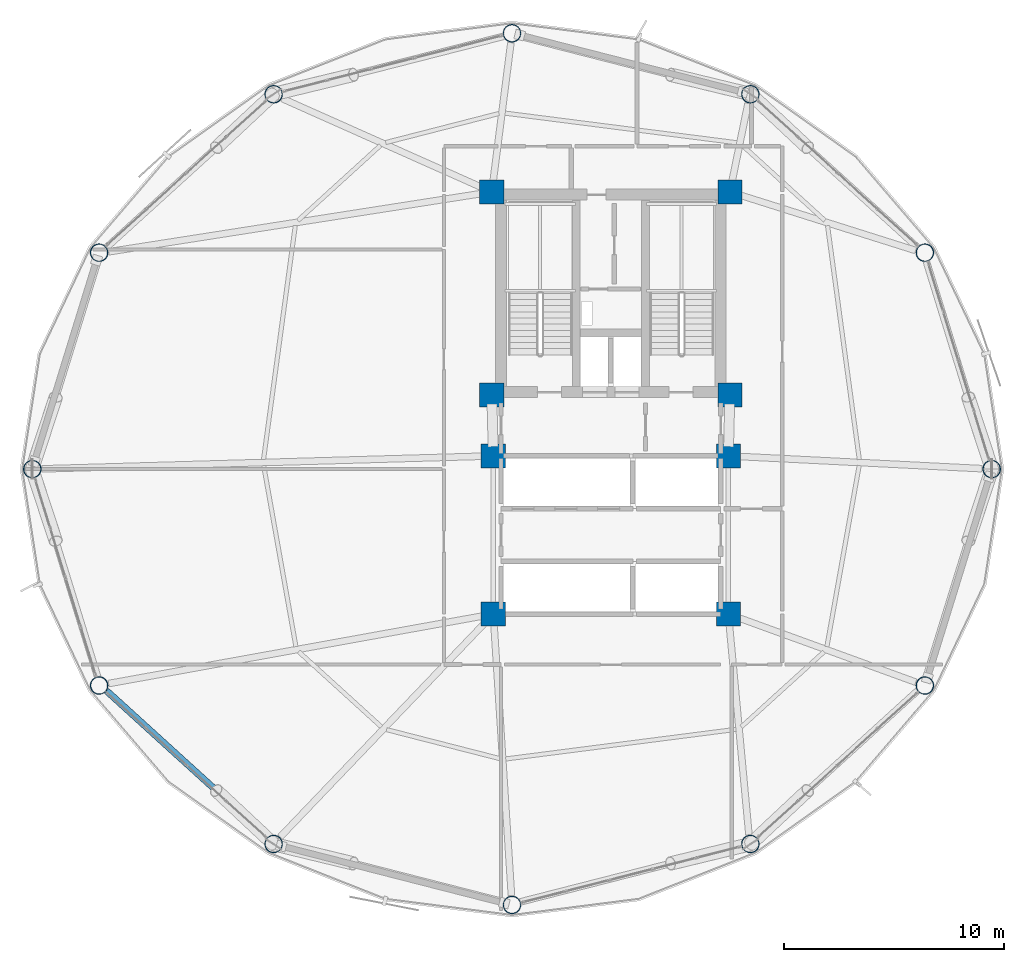
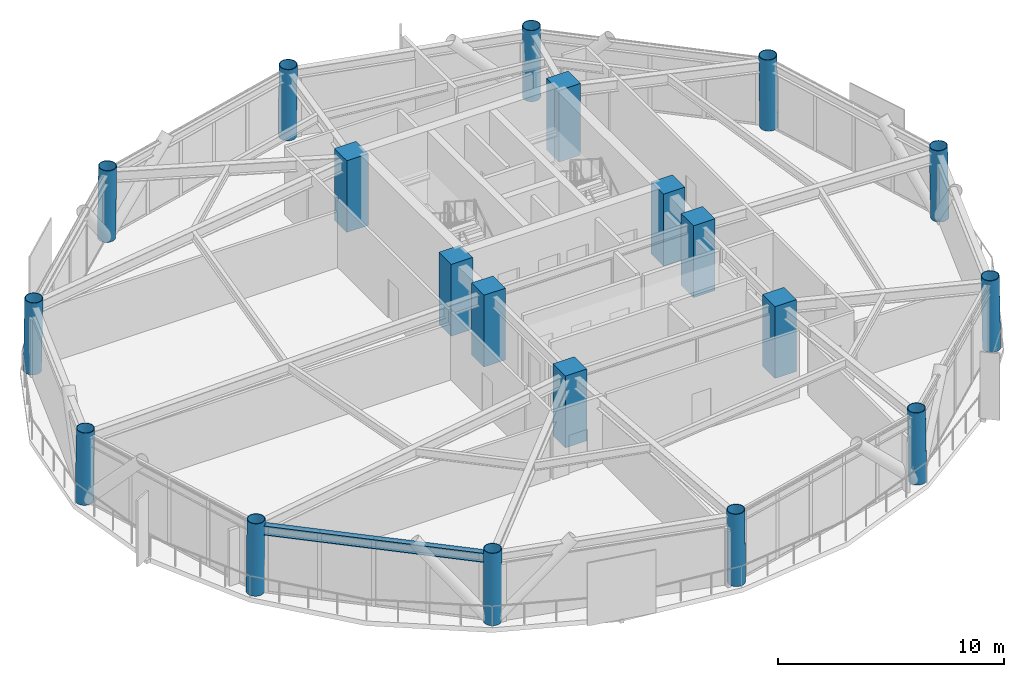
# One storey, part 1 of 26: 20 columns, 1 beam.
"""IFC4 building model written with IfcOpenShell, lengths in metres."""

import ifcopenshell
import ifcopenshell.guid

model = None  # the IFC model being written
_history = None  # IfcOwnerHistory: only IFC2X3 demands one
_inside = {}  # id of a spatial element -> (the spatial element, [elements in it])
_under = {}  # id of a project, library or spatial element -> (it, [spatial elements below it])
_declared = {}  # id of a project -> (the project, [libraries it declares])
_typed = {}  # id of a type object -> (the type object, [elements of that type])
_made_of = {}  # id of a material, layer set ... -> (it, [elements and type objects made of it])


def new_model(schema):
    """Start an empty IFC model of exactly this schema.

    Asked for "IFC4X3", IfcOpenShell would pick the latest addendum, in which some entities
    have other attributes; the version numbers below select the first issue.
    IFC2X3 requires an IfcOwnerHistory on every rooted entity: one is made here for all.
    """
    global model, _history
    if schema == "IFC4X3":
        model = ifcopenshell.file(schema_version=(4, 3, 0, 0))
    else:
        model = ifcopenshell.file(schema=schema)
    _inside.clear()
    _under.clear()
    _declared.clear()
    _typed.clear()
    _made_of.clear()
    _history = None
    if model.schema == "IFC2X3":
        org = make("IfcOrganization", Name="unknown")
        user = make(
            "IfcPersonAndOrganization",
            ThePerson=make("IfcPerson", FamilyName="unknown"),
            TheOrganization=org,
        )
        app = make(
            "IfcApplication",
            ApplicationDeveloper=org,
            Version="unknown",
            ApplicationFullName="unknown",
            ApplicationIdentifier="unknown",
        )
        _history = make(
            "IfcOwnerHistory",
            OwningUser=user,
            OwningApplication=app,
            ChangeAction="ADDED",
            CreationDate=0,
        )
    return model


def make(cls, **values):
    """One entity of the class cls with the attributes given. An attribute that is None is left unset."""
    return model.create_entity(
        cls, **{name: value for name, value in values.items() if value is not None}
    )


def rooted(cls, **values):
    """An entity with a GlobalId (a new one), such as an element, a storey or a relation."""
    return make(cls, GlobalId=ifcopenshell.guid.new(), OwnerHistory=_history, **values)


def si_unit(unit_type, name, prefix=None):
    """IfcSIUnit, for example si_unit("LENGTHUNIT", "METRE", prefix="MILLI")."""
    return make("IfcSIUnit", UnitType=unit_type, Prefix=prefix, Name=name)


def assignment(units):
    """IfcUnitAssignment: the units of a project."""
    return None if units is None else make("IfcUnitAssignment", Units=units)


def point(xyz):
    """IfcCartesianPoint."""
    return None if xyz is None else make("IfcCartesianPoint", Coordinates=xyz)


def direction(xyz):
    """IfcDirection."""
    return None if xyz is None else make("IfcDirection", DirectionRatios=xyz)


def frame(location, z_axis=None, x_axis=None):
    """IfcAxis2Placement3D, a coordinate frame: its origin and axes. An axis left out is left unset."""
    return make(
        "IfcAxis2Placement3D",
        Location=point(location),
        Axis=direction(z_axis),
        RefDirection=direction(x_axis),
    )


def frame_2d(location, x_axis=None):
    """IfcAxis2Placement2D, a coordinate frame in the plane: its origin and x axis."""
    return make(
        "IfcAxis2Placement2D", Location=point(location), RefDirection=direction(x_axis)
    )


def origin():
    """The frame at (0, 0, 0) with its axes left unset."""
    return frame((0.0, 0.0, 0.0))


def origin_2d():
    """The frame at (0, 0) in the plane with its x axis left unset."""
    return frame_2d((0.0, 0.0))


def place(relative_to, where):
    """IfcLocalPlacement: puts the frame where relative to a parent placement (None: the world)."""
    return make(
        "IfcLocalPlacement", PlacementRelTo=relative_to, RelativePlacement=where
    )


def context(
    kind, dimensions, precision=None, world=None, true_north=None, identifier=None
):
    """IfcGeometricRepresentationContext, for example the 3D "Model" context."""
    return make(
        "IfcGeometricRepresentationContext",
        ContextIdentifier=identifier,
        ContextType=kind,
        CoordinateSpaceDimension=dimensions,
        Precision=precision,
        WorldCoordinateSystem=world,
        TrueNorth=true_north,
    )


def subcontext(parent, identifier, kind, view, scale=None):
    """IfcGeometricRepresentationSubContext, for example "Body" below "Model"."""
    return make(
        "IfcGeometricRepresentationSubContext",
        ContextIdentifier=identifier,
        ContextType=kind,
        ParentContext=parent,
        TargetScale=scale,
        TargetView=view,
    )


def project(units=None, contexts=None):
    """IfcProject with its units and contexts."""
    return rooted(
        "IfcProject",
        Name="project",
        RepresentationContexts=contexts,
        UnitsInContext=assignment(units),
    )


def spatial(cls, under=None, at=None, **own):
    """A site, building, storey or space (cls), placed at a placement, below another one or the project."""
    s = rooted(cls, ObjectPlacement=at, **own)
    if under is not None:
        _under.setdefault(under.id(), (under, []))[1].append(s)
    return s


def profile(cls, at=None, kind="AREA", **sizes):
    """A parametric profile (cls). Its sizes go by their IFC names, for example OverallWidth=200.0."""
    return make(cls, ProfileType=kind, Position=at, **sizes)


def rectangle(**sizes):
    """IfcRectangleProfileDef."""
    return profile("IfcRectangleProfileDef", **sizes)


def hollow_circle(**sizes):
    """IfcCircleHollowProfileDef."""
    return profile("IfcCircleHollowProfileDef", **sizes)


def i_section(**sizes):
    """IfcIShapeProfileDef."""
    return profile("IfcIShapeProfileDef", **sizes)


def extrude(swept, where, along, depth):
    """IfcExtrudedAreaSolid: the profile swept, set in the frame where, extruded along a direction by depth."""
    return make(
        "IfcExtrudedAreaSolid",
        SweptArea=swept,
        Position=where,
        ExtrudedDirection=direction(along),
        Depth=depth,
    )


def shape(context_of_items, identifier, shape_type, items):
    """IfcShapeRepresentation: the items that make up one representation, for example the "Body"."""
    return make(
        "IfcShapeRepresentation",
        ContextOfItems=context_of_items,
        RepresentationIdentifier=identifier,
        RepresentationType=shape_type,
        Items=items,
    )


def material(Name=None, Category=None):
    """IfcMaterial."""
    return make("IfcMaterial", Name=Name, Category=Category)


def material_profile(
    of_material, cross_section, Name=None, Category=None, Priority=None
):
    """IfcMaterialProfile: a cross section and its material."""
    return make(
        "IfcMaterialProfile",
        Name=Name,
        Material=of_material,
        Profile=cross_section,
        Priority=Priority,
        Category=Category,
    )


def profile_set(profiles, Name=None, composite=None):
    """IfcMaterialProfileSet."""
    return make(
        "IfcMaterialProfileSet",
        Name=Name,
        MaterialProfiles=profiles,
        CompositeProfile=composite,
    )


def made_of(thing, what):
    """Note that an element or type object is made of a material, layer set ...; save() writes the relation."""
    if what is not None:
        _made_of.setdefault(what.id(), (what, []))[1].append(thing)
    return thing


def type_object(cls, material=None, **own):
    """A type object (cls), such as IfcWallType, which elements share."""
    return made_of(rooted(cls, **own), material)


def element(
    cls,
    number,
    at=None,
    inside=None,
    cuts=None,
    type_object=None,
    material=None,
    context=None,
    identifier="Body",
    shape_type=None,
    held_by="IfcProductDefinitionShape",
    body=None,
    shapes=None,
    **own,
):
    """One element of the class cls, such as IfcWall. Its Tag is "e" and its number.

    at: its placement. inside: the storey or other place that contains it. cuts: it is an
    opening in that element (IfcRelVoidsElement). A single representation is given by context,
    identifier, shape_type and body (its items); several are given by shapes. held_by: the class
    of the entity that holds the representations. save() writes the other relations.
    """
    e = rooted(cls, Tag="e%d" % number, ObjectPlacement=at, **own)
    if body is not None:
        shapes = [shape(context, identifier, shape_type, body)]
    if shapes is not None:
        e.Representation = make(held_by, Representations=shapes)
    if inside is not None:
        _inside.setdefault(inside.id(), (inside, []))[1].append(e)
    if cuts is not None:
        rooted(
            "IfcRelVoidsElement", RelatingBuildingElement=cuts, RelatedOpeningElement=e
        )
    if type_object is not None:
        _typed.setdefault(type_object.id(), (type_object, []))[1].append(e)
    return made_of(e, material)


def aggregate(whole, parts):
    """IfcRelAggregates: a whole, such as a stair, and the parts it consists of."""
    return rooted("IfcRelAggregates", RelatingObject=whole, RelatedObjects=parts)


def save(model, path):
    """Write the relations noted so far, then the file.

    IfcRelAggregates (storeys below a building ...), IfcRelContainedInSpatialStructure (elements
    in a storey), IfcRelDefinesByType, IfcRelAssociatesMaterial and IfcRelDeclares: one each for
    every whole, place, type object, material and project.
    """
    for whole, parts in _under.values():
        aggregate(whole, parts)
    for where, things in _inside.values():
        rooted(
            "IfcRelContainedInSpatialStructure",
            RelatedElements=things,
            RelatingStructure=where,
        )
    for kind, things in _typed.values():
        rooted("IfcRelDefinesByType", RelatedObjects=things, RelatingType=kind)
    for what, things in _made_of.values():
        rooted("IfcRelAssociatesMaterial", RelatedObjects=things, RelatingMaterial=what)
    for by, libraries in _declared.values():
        rooted("IfcRelDeclares", RelatingContext=by, RelatedDefinitions=libraries)
    model.write(path)


model = new_model("IFC4")

# Units and contexts
model_context = context("Model", 3, precision=1e-05, world=origin(), true_north=direction((0.0, 1.0)))
body_context = subcontext(model_context, "Body", "Model", "MODEL_VIEW")
ifc_project = project(units=[si_unit("LENGTHUNIT", "METRE"), si_unit("AREAUNIT", "SQUARE_METRE"), si_unit("VOLUMEUNIT", "CUBIC_METRE"), si_unit("PLANEANGLEUNIT", "RADIAN"), si_unit("MASSUNIT", "GRAM", prefix="KILO")], contexts=[model_context])

# Site, building, storey
site_placement = place(None, origin())
site = spatial("IfcSite", under=ifc_project, at=site_placement, CompositionType="ELEMENT")
building_placement = place(site_placement, origin())
building = spatial("IfcBuilding", under=site, at=building_placement, Name="Varnakorn Sky Granary", CompositionType="ELEMENT")
storey_placement = place(building_placement, frame((0.0, 0.0, 87.60009765625)))
storey = spatial("IfcBuildingStorey", under=building, at=storey_placement, Name="L21", CompositionType="ELEMENT", Elevation=87.60009765625)

# Columns
ifc_material_1 = material(Name="Steel S460M", Category="steel")
ifc_material_profile_1 = material_profile(ifc_material_1, hollow_circle(Radius=0.406494140625, WallThickness=0.030029296875, at=origin_2d()), Name="CHS 813x30")
ifc_profile_set_1 = profile_set([ifc_material_profile_1], Name="Steel S460M")
column_type_1 = type_object("IfcColumnType", Name="COL-DC-Z2", PredefinedType="COLUMN", material=ifc_profile_set_1)
for number, where, z_axis, x_axis, name in (
    (1, (20.35009765625, 0.0, 0.0), (-0.017323508859, 0.0, 0.999849936761), (0.0, -1.0, 0.0), "Drum Perimeter Column DC01 L21"),
    (2, (17.3056640625, 9.857421875, 0.0), (-0.014930006761, -0.006173589294, 0.999869482329), (0.382122183009, -0.92411180993, 0.0), "Drum Perimeter Column DC02 L21"),
    (3, (9.357421875, 17.07373046875, 0.0), (-0.008630730053, -0.010772663059, 0.999904725576), (0.780423354579, -0.625251459517, 0.0), "Drum Perimeter Column DC03 L21"),
):
    element("IfcColumn", number, at=place(storey_placement, frame(where, z_axis=z_axis, x_axis=x_axis)), inside=storey, type_object=column_type_1, Name=name, PredefinedType="COLUMN", context=body_context, shape_type="SweptSolid", body=[
        extrude(hollow_circle(Radius=0.406494140625, WallThickness=0.030029296875, at=origin_2d()), origin(), (0.0, 0.0, 1.0), 3.87548828125),
    ])
column_1_placement = place(storey_placement, frame((-1.5, 19.85009765625, 0.0), z_axis=(0.0, -0.01241083843, 0.999922982579), x_axis=(1.0, 0.0, 0.0)))
element("IfcColumn", 4, at=column_1_placement, inside=storey, type_object=column_type_1, Name="Drum Perimeter Column DC04 L21", PredefinedType="COLUMN", context=body_context, shape_type="SweptSolid", body=[
    extrude(hollow_circle(Radius=0.406494140625, WallThickness=0.030029296875, at=origin_2d()), origin(), (0.0, 0.0, 1.0), 3.875244140625),
])
for number, where, z_axis, x_axis, name in (
    (5, (-12.357421875, 17.07373046875, 0.0), (0.008630730053, -0.010772663059, 0.999904725576), (0.780423354579, 0.625251459517, 0.0), "Drum Perimeter Column DC05 L21"),
    (6, (-20.3056640625, 9.857421875, 0.0), (0.014930006761, -0.006173589294, 0.999869482329), (0.382122183009, 0.92411180993, 0.0), "Drum Perimeter Column DC06 L21"),
    (7, (-23.35009765625, 0.0, 0.0), (0.017323508859, 0.0, 0.999849936761), (0.0, 1.0, 0.0), "Drum Perimeter Column DC07 L21"),
    (8, (-20.3056640625, -9.857421875, 0.0), (0.014930006761, 0.006173589294, 0.999869482329), (-0.382122183009, 0.92411180993, 0.0), "Drum Perimeter Column DC08 L21"),
    (9, (-12.357421875, -17.07373046875, 0.0), (0.008630730053, 0.010772663059, 0.999904725576), (-0.780423354579, 0.625251459517, 0.0), "Drum Perimeter Column DC09 L21"),
):
    element("IfcColumn", number, at=place(storey_placement, frame(where, z_axis=z_axis, x_axis=x_axis)), inside=storey, type_object=column_type_1, Name=name, PredefinedType="COLUMN", context=body_context, shape_type="SweptSolid", body=[
        extrude(hollow_circle(Radius=0.406494140625, WallThickness=0.030029296875, at=origin_2d()), origin(), (0.0, 0.0, 1.0), 3.87548828125),
    ])
column_2_placement = place(storey_placement, frame((-1.5, -19.85009765625, 0.0), z_axis=(0.0, 0.01241083843, 0.999922982579), x_axis=(-1.0, 0.0, 0.0)))
element("IfcColumn", 10, at=column_2_placement, inside=storey, type_object=column_type_1, Name="Drum Perimeter Column DC10 L21", PredefinedType="COLUMN", context=body_context, shape_type="SweptSolid", body=[
    extrude(hollow_circle(Radius=0.406494140625, WallThickness=0.030029296875, at=origin_2d()), origin(), (0.0, 0.0, 1.0), 3.875244140625),
])
for number, where, z_axis, x_axis, name in (
    (11, (9.357421875, -17.07373046875, 0.0), (-0.008630730053, 0.010772663059, 0.999904725576), (-0.780423354579, -0.625251459517, 0.0), "Drum Perimeter Column DC11 L21"),
    (12, (17.3056640625, -9.857421875, 0.0), (-0.014930006761, 0.006173589294, 0.999869482329), (-0.382122183009, -0.92411180993, 0.0), "Drum Perimeter Column DC12 L21"),
):
    element("IfcColumn", number, at=place(storey_placement, frame(where, z_axis=z_axis, x_axis=x_axis)), inside=storey, type_object=column_type_1, Name=name, PredefinedType="COLUMN", context=body_context, shape_type="SweptSolid", body=[
        extrude(hollow_circle(Radius=0.406494140625, WallThickness=0.030029296875, at=origin_2d()), origin(), (0.0, 0.0, 1.0), 3.87548828125),
    ])
ifc_material_2 = material(Name="Concrete C60/75", Category="concrete")
ifc_material_profile_2 = material_profile(ifc_material_2, rectangle(XDim=1.10009765625, YDim=1.10009765625, at=origin_2d()), Name="RC 1100x1100")
ifc_profile_set_2 = profile_set([ifc_material_profile_2], Name="Concrete C60/75")
column_type_2 = type_object("IfcColumnType", Name="COL-MC-Z2", PredefinedType="COLUMN", material=ifc_profile_set_2)
for number, where, z_axis, x_axis, name in (
    (13, (-2.419921875, 12.6201171875, 0.0), (0.0, 0.0, 1.0), (1.0, 0.0, 0.0), "Backbone Mega-Column MC1 L21"),
    (14, (8.419921875, 12.6201171875, 0.0), (0.0, 0.0, 1.0), (1.0, 0.0, 0.0), "Backbone Mega-Column MC2 L21"),
    (15, (-2.419921875, 3.3798828125, 0.0), (0.0, 0.0, 1.0), (1.0, 0.0, 0.0), "Backbone Mega-Column MC3 L21"),
    (16, (8.419921875, 3.3798828125, 0.0), (0.0, 0.0, 1.0), (1.0, 0.0, 0.0), "Backbone Mega-Column MC4 L21"),
    (17, (-2.35009765625, 0.60009765625, 0.0), (0.0, 0.0, 1.0), (1.0, 0.0, 0.0), "Backbone Mega-Column MC5 L21"),
    (18, (8.35009765625, 0.60009765625, 0.0), (0.0, 0.0, 1.0), (1.0, 0.0, 0.0), "Backbone Mega-Column MC6 L21"),
    (19, (-2.35009765625, -6.60009765625, 0.0), (0.0, 0.0, 1.0), (1.0, 0.0, 0.0), "Backbone Mega-Column MC7 L21"),
    (20, (8.35009765625, -6.60009765625, 0.0), (0.0, 0.0, 1.0), (1.0, 0.0, 0.0), "Backbone Mega-Column MC8 L21"),
):
    element("IfcColumn", number, at=place(storey_placement, frame(where, z_axis=z_axis, x_axis=x_axis)), inside=storey, type_object=column_type_2, Name=name, PredefinedType="COLUMN", context=body_context, shape_type="SweptSolid", body=[
        extrude(rectangle(XDim=1.10009765625, YDim=1.10009765625, at=origin_2d()), origin(), (0.0, 0.0, 1.0), 3.875),
    ])

# Beam
ifc_material_3 = material(Name="Steel S355JR", Category="steel")
ifc_material_profile_3 = material_profile(ifc_material_3, i_section(OverallWidth=0.300048828125, OverallDepth=0.5, WebThickness=0.014404296875, FlangeThickness=0.028076171875, at=origin_2d()), Name="HE 500 B")
ifc_profile_set_3 = profile_set([ifc_material_profile_3], Name="Steel S355JR")
beam_type = type_object("IfcBeamType", Name="BM-SPD-Z2", PredefinedType="SPANDREL", material=ifc_profile_set_3)
beam_placement = place(storey_placement, frame((-19.9580078125, -10.0966796875, 3.389892578125), z_axis=(0.740163814334, -0.6724265967, 0.0), x_axis=(0.6724265967, 0.740163814334, 0.0)))
element("IfcBeam", 21, at=beam_placement, inside=storey, type_object=beam_type, Name="Perimeter Spandrel Ring Beam RB08 L21", PredefinedType="SPANDREL", context=body_context, shape_type="SweptSolid", body=[
    extrude(i_section(OverallWidth=0.300048828125, OverallDepth=0.5, WebThickness=0.014404296875, FlangeThickness=0.028076171875, at=origin_2d()), origin(), (0.0, 0.0, 1.0), 9.92236328125),
])

save(model, "model.ifc")
